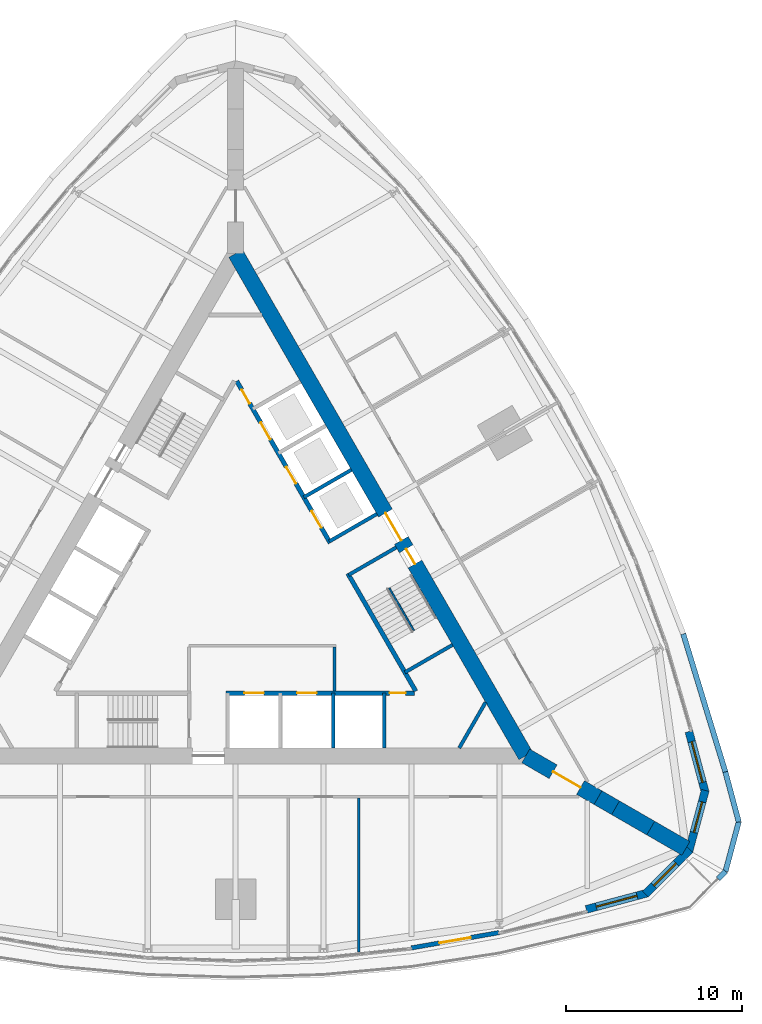
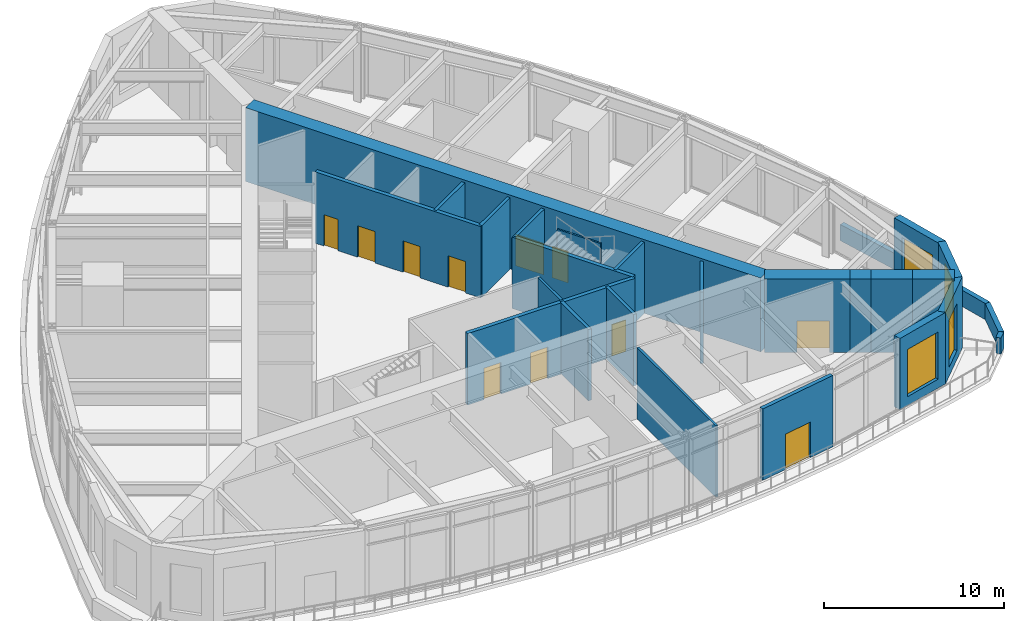
# One storey, part 10 of 14: 27 walls, 11 doors, 4 windows, 15 openings.
"""IFC4 building model written with IfcOpenShell, lengths in metres."""

import ifcopenshell
import ifcopenshell.guid

model = None  # the IFC model being written
_history = None  # IfcOwnerHistory: only IFC2X3 demands one
_inside = {}  # id of a spatial element -> (the spatial element, [elements in it])
_under = {}  # id of a project, library or spatial element -> (it, [spatial elements below it])
_declared = {}  # id of a project -> (the project, [libraries it declares])
_typed = {}  # id of a type object -> (the type object, [elements of that type])
_made_of = {}  # id of a material, layer set ... -> (it, [elements and type objects made of it])


def new_model(schema):
    """Start an empty IFC model of exactly this schema.

    Asked for "IFC4X3", IfcOpenShell would pick the latest addendum, in which some entities
    have other attributes; the version numbers below select the first issue.
    IFC2X3 requires an IfcOwnerHistory on every rooted entity: one is made here for all.
    """
    global model, _history
    if schema == "IFC4X3":
        model = ifcopenshell.file(schema_version=(4, 3, 0, 0))
    else:
        model = ifcopenshell.file(schema=schema)
    _inside.clear()
    _under.clear()
    _declared.clear()
    _typed.clear()
    _made_of.clear()
    _history = None
    if model.schema == "IFC2X3":
        org = make("IfcOrganization", Name="unknown")
        user = make(
            "IfcPersonAndOrganization",
            ThePerson=make("IfcPerson", FamilyName="unknown"),
            TheOrganization=org,
        )
        app = make(
            "IfcApplication",
            ApplicationDeveloper=org,
            Version="unknown",
            ApplicationFullName="unknown",
            ApplicationIdentifier="unknown",
        )
        _history = make(
            "IfcOwnerHistory",
            OwningUser=user,
            OwningApplication=app,
            ChangeAction="ADDED",
            CreationDate=0,
        )
    return model


def make(cls, **values):
    """One entity of the class cls with the attributes given. An attribute that is None is left unset."""
    return model.create_entity(
        cls, **{name: value for name, value in values.items() if value is not None}
    )


def rooted(cls, **values):
    """An entity with a GlobalId (a new one), such as an element, a storey or a relation."""
    return make(cls, GlobalId=ifcopenshell.guid.new(), OwnerHistory=_history, **values)


def si_unit(unit_type, name, prefix=None):
    """IfcSIUnit, for example si_unit("LENGTHUNIT", "METRE", prefix="MILLI")."""
    return make("IfcSIUnit", UnitType=unit_type, Prefix=prefix, Name=name)


def assignment(units):
    """IfcUnitAssignment: the units of a project."""
    return None if units is None else make("IfcUnitAssignment", Units=units)


def point(xyz):
    """IfcCartesianPoint."""
    return None if xyz is None else make("IfcCartesianPoint", Coordinates=xyz)


def direction(xyz):
    """IfcDirection."""
    return None if xyz is None else make("IfcDirection", DirectionRatios=xyz)


def frame(location, z_axis=None, x_axis=None):
    """IfcAxis2Placement3D, a coordinate frame: its origin and axes. An axis left out is left unset."""
    return make(
        "IfcAxis2Placement3D",
        Location=point(location),
        Axis=direction(z_axis),
        RefDirection=direction(x_axis),
    )


def frame_2d(location, x_axis=None):
    """IfcAxis2Placement2D, a coordinate frame in the plane: its origin and x axis."""
    return make(
        "IfcAxis2Placement2D", Location=point(location), RefDirection=direction(x_axis)
    )


def origin():
    """The frame at (0, 0, 0) with its axes left unset."""
    return frame((0.0, 0.0, 0.0))


def place(relative_to, where):
    """IfcLocalPlacement: puts the frame where relative to a parent placement (None: the world)."""
    return make(
        "IfcLocalPlacement", PlacementRelTo=relative_to, RelativePlacement=where
    )


def context(
    kind, dimensions, precision=None, world=None, true_north=None, identifier=None
):
    """IfcGeometricRepresentationContext, for example the 3D "Model" context."""
    return make(
        "IfcGeometricRepresentationContext",
        ContextIdentifier=identifier,
        ContextType=kind,
        CoordinateSpaceDimension=dimensions,
        Precision=precision,
        WorldCoordinateSystem=world,
        TrueNorth=true_north,
    )


def subcontext(parent, identifier, kind, view, scale=None):
    """IfcGeometricRepresentationSubContext, for example "Body" below "Model"."""
    return make(
        "IfcGeometricRepresentationSubContext",
        ContextIdentifier=identifier,
        ContextType=kind,
        ParentContext=parent,
        TargetScale=scale,
        TargetView=view,
    )


def project(units=None, contexts=None):
    """IfcProject with its units and contexts."""
    return rooted(
        "IfcProject",
        Name="project",
        RepresentationContexts=contexts,
        UnitsInContext=assignment(units),
    )


def spatial(cls, under=None, at=None, **own):
    """A site, building, storey or space (cls), placed at a placement, below another one or the project."""
    s = rooted(cls, ObjectPlacement=at, **own)
    if under is not None:
        _under.setdefault(under.id(), (under, []))[1].append(s)
    return s


def polyline(points):
    """IfcPolyline through the points."""
    return make("IfcPolyline", Points=[point(p) for p in points])


def profile(cls, at=None, kind="AREA", **sizes):
    """A parametric profile (cls). Its sizes go by their IFC names, for example OverallWidth=200.0."""
    return make(cls, ProfileType=kind, Position=at, **sizes)


def rectangle(**sizes):
    """IfcRectangleProfileDef."""
    return profile("IfcRectangleProfileDef", **sizes)


def outline(outer, holes=None, kind="AREA"):
    """IfcArbitraryClosedProfileDef: a profile drawn as a closed curve; with holes, ...WithVoids."""
    if holes is None:
        return make("IfcArbitraryClosedProfileDef", ProfileType=kind, OuterCurve=outer)
    return make(
        "IfcArbitraryProfileDefWithVoids",
        ProfileType=kind,
        OuterCurve=outer,
        InnerCurves=holes,
    )


def extrude(swept, where, along, depth):
    """IfcExtrudedAreaSolid: the profile swept, set in the frame where, extruded along a direction by depth."""
    return make(
        "IfcExtrudedAreaSolid",
        SweptArea=swept,
        Position=where,
        ExtrudedDirection=direction(along),
        Depth=depth,
    )


def shape(context_of_items, identifier, shape_type, items):
    """IfcShapeRepresentation: the items that make up one representation, for example the "Body"."""
    return make(
        "IfcShapeRepresentation",
        ContextOfItems=context_of_items,
        RepresentationIdentifier=identifier,
        RepresentationType=shape_type,
        Items=items,
    )


def material(Name=None, Category=None):
    """IfcMaterial."""
    return make("IfcMaterial", Name=Name, Category=Category)


def layer(
    of_material, thickness, ventilated=None, Name=None, Category=None, Priority=None
):
    """IfcMaterialLayer: one layer of a wall or slab, of a material (None: an air gap)."""
    return make(
        "IfcMaterialLayer",
        Material=of_material,
        LayerThickness=thickness,
        IsVentilated=ventilated,
        Name=Name,
        Category=Category,
        Priority=Priority,
    )


def layer_set(layers, Name=None):
    """IfcMaterialLayerSet."""
    return make("IfcMaterialLayerSet", MaterialLayers=layers, LayerSetName=Name)


def made_of(thing, what):
    """Note that an element or type object is made of a material, layer set ...; save() writes the relation."""
    if what is not None:
        _made_of.setdefault(what.id(), (what, []))[1].append(thing)
    return thing


def type_object(cls, material=None, **own):
    """A type object (cls), such as IfcWallType, which elements share."""
    return made_of(rooted(cls, **own), material)


def element(
    cls,
    number,
    at=None,
    inside=None,
    cuts=None,
    type_object=None,
    material=None,
    context=None,
    identifier="Body",
    shape_type=None,
    held_by="IfcProductDefinitionShape",
    body=None,
    shapes=None,
    **own,
):
    """One element of the class cls, such as IfcWall. Its Tag is "e" and its number.

    at: its placement. inside: the storey or other place that contains it. cuts: it is an
    opening in that element (IfcRelVoidsElement). A single representation is given by context,
    identifier, shape_type and body (its items); several are given by shapes. held_by: the class
    of the entity that holds the representations. save() writes the other relations.
    """
    e = rooted(cls, Tag="e%d" % number, ObjectPlacement=at, **own)
    if body is not None:
        shapes = [shape(context, identifier, shape_type, body)]
    if shapes is not None:
        e.Representation = make(held_by, Representations=shapes)
    if inside is not None:
        _inside.setdefault(inside.id(), (inside, []))[1].append(e)
    if cuts is not None:
        rooted(
            "IfcRelVoidsElement", RelatingBuildingElement=cuts, RelatedOpeningElement=e
        )
    if type_object is not None:
        _typed.setdefault(type_object.id(), (type_object, []))[1].append(e)
    return made_of(e, material)


def fill(opening, filler):
    """IfcRelFillsElement: the door or window that sits in an opening."""
    return rooted(
        "IfcRelFillsElement",
        RelatingOpeningElement=opening,
        RelatedBuildingElement=filler,
    )


def aggregate(whole, parts):
    """IfcRelAggregates: a whole, such as a stair, and the parts it consists of."""
    return rooted("IfcRelAggregates", RelatingObject=whole, RelatedObjects=parts)


def save(model, path):
    """Write the relations noted so far, then the file.

    IfcRelAggregates (storeys below a building ...), IfcRelContainedInSpatialStructure (elements
    in a storey), IfcRelDefinesByType, IfcRelAssociatesMaterial and IfcRelDeclares: one each for
    every whole, place, type object, material and project.
    """
    for whole, parts in _under.values():
        aggregate(whole, parts)
    for where, things in _inside.values():
        rooted(
            "IfcRelContainedInSpatialStructure",
            RelatedElements=things,
            RelatingStructure=where,
        )
    for kind, things in _typed.values():
        rooted("IfcRelDefinesByType", RelatedObjects=things, RelatingType=kind)
    for what, things in _made_of.values():
        rooted("IfcRelAssociatesMaterial", RelatedObjects=things, RelatingMaterial=what)
    for by, libraries in _declared.values():
        rooted("IfcRelDeclares", RelatingContext=by, RelatedDefinitions=libraries)
    model.write(path)


model = new_model("IFC4")

# Units and contexts
model_context = context("Model", 3, precision=1e-05, world=origin(), true_north=direction((0.0, 1.0)))
body_context = subcontext(model_context, "Body", "Model", "MODEL_VIEW")
ifc_project = project(units=[si_unit("LENGTHUNIT", "METRE"), si_unit("AREAUNIT", "SQUARE_METRE"), si_unit("VOLUMEUNIT", "CUBIC_METRE"), si_unit("PLANEANGLEUNIT", "RADIAN"), si_unit("MASSUNIT", "GRAM", prefix="KILO")], contexts=[model_context])

# Site, building, storey
site_placement = place(None, origin())
site = spatial("IfcSite", under=ifc_project, at=site_placement, CompositionType="ELEMENT")
building_placement = place(site_placement, origin())
building = spatial("IfcBuilding", under=site, at=building_placement, Name="Trikona Tower", CompositionType="ELEMENT")
storey_placement = place(building_placement, frame((0.0, 0.0, 109.699951171875)))
storey = spatial("IfcBuildingStorey", under=building, at=storey_placement, Name="L28", CompositionType="ELEMENT", Elevation=109.699951171875)

# Wall, opening, window
ifc_material_1 = material(Name="Brick-faced precast concrete", Category="masonry")
ifc_layer_1 = layer(ifc_material_1, 0.449951171875)
ifc_layer_set_1 = layer_set([ifc_layer_1], Name="Brick-faced corner wall 450")
wall_type_1 = type_object("IfcWallType", Name="Brick-faced corner wall 450", PredefinedType="SOLIDWALL", material=ifc_layer_set_1)
wall_1_placement = place(storey_placement, frame((19.94189453125, -18.2578125, 0.0), z_axis=(0.0, 0.0, 1.0), x_axis=(0.965924653531, 0.258823421857, 0.0)))
wall_1 = element("IfcWall", 1, at=wall_1_placement, inside=storey, type_object=wall_type_1, Name="External wall L28-08", PredefinedType="SOLIDWALL", context=body_context, shape_type="SweptSolid", body=[
    extrude(rectangle(XDim=3.58642578125, YDim=0.449951171875, at=frame_2d((1.793212890625, 0.0))), origin(), (0.0, 0.0, 1.0), 4.8349609375),
])
opening_1_placement = place(wall_1_placement, frame((0.593017578125, 0.0, 0.60009765625)))
opening_1 = element("IfcOpeningElement", 2, at=opening_1_placement, cuts=wall_1, Name="Opening W2432", PredefinedType="OPENING", context=body_context, shape_type="SweptSolid", body=[
    extrude(rectangle(XDim=2.39990234375, YDim=3.199951171875, at=frame_2d((1.199951171875, 1.60009765625))), frame((0.0, 0.23486328125, 0.0), z_axis=(0.0, -1.0, 0.0), x_axis=(1.0, 0.0, 0.0)), (0.0, 0.0, 1.0), 0.469970703125),
])
ifc_material_2 = material(Name="Aluminium-framed double glazing", Category="aluminium")
window_type_1 = type_object("IfcWindowType", Name="Window 2400x3200", PartitioningType="SINGLE_PANEL", PredefinedType="WINDOW", material=ifc_material_2)
window_1_placement = place(opening_1_placement, origin())
window_1 = element("IfcWindow", 3, at=window_1_placement, inside=storey, type_object=window_type_1, Name="Window L28-SKR", OverallHeight=3.199951171875, OverallWidth=2.39990234375, PartitioningType="SINGLE_PANEL", PredefinedType="WINDOW", context=body_context, shape_type="SweptSolid", body=[
    extrude(rectangle(XDim=2.39990234375, YDim=3.199951171875, at=frame_2d((1.199951171875, 1.60009765625))), frame((0.0, 0.030029296875, 0.0), z_axis=(0.0, -1.0, 0.0), x_axis=(1.0, 0.0, 0.0)), (0.0, 0.0, 1.0), 0.06005859375),
])
fill(opening_1, window_1)

wall_2_placement = place(storey_placement, frame((23.304931640625, -17.387939453125, 0.0), z_axis=(0.0, 0.0, 1.0), x_axis=(0.707106781187, 0.707106781187, 0.0)))
wall_2 = element("IfcWall", 4, at=wall_2_placement, inside=storey, type_object=wall_type_1, Name="External wall L28-09", PredefinedType="SOLIDWALL", context=body_context, shape_type="SweptSolid", body=[
    extrude(outline(polyline([(3.586181640625, 0.22509765625), (3.527099609375, 0.22509765625), (3.03515625, 0.09326171875), (3.0, 0.22509765625), (0.0, 0.22509765625), (0.0, -0.22509765625), (3.586181640625, -0.22509765625), (3.586181640625, 0.22509765625)])), origin(), (0.0, 0.0, 1.0), 4.8349609375),
])
opening_2_placement = place(wall_2_placement, frame((0.6748046875, 0.0, 0.60009765625)))
opening_2 = element("IfcOpeningElement", 5, at=opening_2_placement, cuts=wall_2, Name="Opening W1832", PredefinedType="OPENING", context=body_context, shape_type="SweptSolid", body=[
    extrude(rectangle(XDim=1.800048828125, YDim=3.199951171875, at=frame_2d((0.89990234375, 1.60009765625))), frame((0.0, 0.23486328125, 0.0), z_axis=(0.0, -1.0, 0.0), x_axis=(1.0, 0.0, 0.0)), (0.0, 0.0, 1.0), 0.469970703125),
])
ifc_material_3 = material(Name="Aluminium-framed double glazing", Category="aluminium")
window_type_2 = type_object("IfcWindowType", Name="Window 1800x3200", PartitioningType="SINGLE_PANEL", PredefinedType="WINDOW", material=ifc_material_3)
window_2_placement = place(opening_2_placement, origin())
window_2 = element("IfcWindow", 6, at=window_2_placement, inside=storey, type_object=window_type_2, Name="Window L28-SKR", OverallHeight=3.199951171875, OverallWidth=1.800048828125, PartitioningType="SINGLE_PANEL", PredefinedType="WINDOW", context=body_context, shape_type="SweptSolid", body=[
    extrude(rectangle(XDim=1.800048828125, YDim=3.199951171875, at=frame_2d((0.89990234375, 1.60009765625))), frame((0.0, 0.030029296875, 0.0), z_axis=(0.0, -1.0, 0.0), x_axis=(1.0, 0.0, 0.0)), (0.0, 0.0, 1.0), 0.06005859375),
])
fill(opening_2, window_2)

wall_3_placement = place(storey_placement, frame((25.78271484375, -14.952880859375, 0.0), z_axis=(0.0, 0.0, 1.0), x_axis=(0.258823421857, 0.965924653531, 0.0)))
wall_3 = element("IfcWall", 7, at=wall_3_placement, inside=storey, type_object=wall_type_1, Name="External wall L28-10", PredefinedType="SOLIDWALL", context=body_context, shape_type="SweptSolid", body=[
    extrude(outline(polyline([(3.58642578125, 0.22509765625), (0.58642578125, 0.22509765625), (0.551025390625, 0.09326171875), (0.0595703125, 0.22509765625), (0.0, 0.22509765625), (0.0, -0.22509765625), (3.58642578125, -0.22509765625), (3.58642578125, 0.22509765625)])), origin(), (0.0, 0.0, 1.0), 4.8349609375),
])
opening_3_placement = place(wall_3_placement, frame((1.111328125, 0.0, 0.60009765625)))
opening_3 = element("IfcOpeningElement", 8, at=opening_3_placement, cuts=wall_3, Name="Opening W1832", PredefinedType="OPENING", context=body_context, shape_type="SweptSolid", body=[
    extrude(rectangle(XDim=1.800048828125, YDim=3.199951171875, at=frame_2d((0.89990234375, 1.60009765625))), frame((0.0, 0.23486328125, 0.0), z_axis=(0.0, -1.0, 0.0), x_axis=(1.0, 0.0, 0.0)), (0.0, 0.0, 1.0), 0.469970703125),
])
window_3_placement = place(opening_3_placement, origin())
window_3 = element("IfcWindow", 9, at=window_3_placement, inside=storey, type_object=window_type_2, Name="Window L28-LIB", OverallHeight=3.199951171875, OverallWidth=1.800048828125, PartitioningType="SINGLE_PANEL", PredefinedType="WINDOW", context=body_context, shape_type="SweptSolid", body=[
    extrude(rectangle(XDim=1.800048828125, YDim=3.199951171875, at=frame_2d((0.89990234375, 1.60009765625))), frame((0.0, 0.030029296875, 0.0), z_axis=(0.0, -1.0, 0.0), x_axis=(1.0, 0.0, 0.0)), (0.0, 0.0, 1.0), 0.06005859375),
])
fill(opening_3, window_3)

wall_4_placement = place(storey_placement, frame((26.7109375, -11.605224609375, 0.0), z_axis=(0.0, 0.0, 1.0), x_axis=(-0.258823421857, 0.965924653531, 0.0)))
wall_4 = element("IfcWall", 10, at=wall_4_placement, inside=storey, type_object=wall_type_1, Name="External wall L28-11", PredefinedType="SOLIDWALL", context=body_context, shape_type="SweptSolid", body=[
    extrude(rectangle(XDim=3.58642578125, YDim=0.449951171875, at=frame_2d((1.793212890625, 0.0))), origin(), (0.0, 0.0, 1.0), 4.8349609375),
])
opening_4_placement = place(wall_4_placement, frame((0.593017578125, 0.0, 0.60009765625)))
opening_4 = element("IfcOpeningElement", 11, at=opening_4_placement, cuts=wall_4, Name="Opening W2432", PredefinedType="OPENING", context=body_context, shape_type="SweptSolid", body=[
    extrude(rectangle(XDim=2.39990234375, YDim=3.199951171875, at=frame_2d((1.199951171875, 1.60009765625))), frame((0.0, 0.23486328125, 0.0), z_axis=(0.0, -1.0, 0.0), x_axis=(1.0, 0.0, 0.0)), (0.0, 0.0, 1.0), 0.469970703125),
])
window_4_placement = place(opening_4_placement, origin())
window_4 = element("IfcWindow", 12, at=window_4_placement, inside=storey, type_object=window_type_1, Name="Window L28-LIB", OverallHeight=3.199951171875, OverallWidth=2.39990234375, PartitioningType="SINGLE_PANEL", PredefinedType="WINDOW", context=body_context, shape_type="SweptSolid", body=[
    extrude(rectangle(XDim=2.39990234375, YDim=3.199951171875, at=frame_2d((1.199951171875, 1.60009765625))), frame((0.0, 0.030029296875, 0.0), z_axis=(0.0, -1.0, 0.0), x_axis=(1.0, 0.0, 0.0)), (0.0, 0.0, 1.0), 0.06005859375),
])
fill(opening_4, window_4)

# Wall, opening, door
ifc_material_4 = material(Name="Concrete f'c 10000 psi", Category="concrete")
ifc_layer_2 = layer(ifc_material_4, 0.89990234375)
ifc_layer_set_2 = layer_set([ifc_layer_2], Name="Buttress wall 900")
wall_type_2 = type_object("IfcWallType", Name="Buttress wall 900", PredefinedType="SHEAR", material=ifc_layer_set_2)
wall_5_placement = place(storey_placement, frame((16.5, -9.5263671875, 0.0), z_axis=(0.0, 0.0, 1.0), x_axis=(0.866031398331, -0.499989616998, 0.0)))
wall_5 = element("IfcWall", 13, at=wall_5_placement, inside=storey, type_object=wall_type_2, Name="Buttress wall 1", PredefinedType="SHEAR", context=body_context, shape_type="SweptSolid", body=[
    extrude(rectangle(XDim=4.74609375, YDim=0.89990234375, at=frame_2d((2.373046875, 0.0))), origin(), (0.0, 0.0, 1.0), 5.0),
])
opening_5_placement = place(wall_5_placement, frame((1.800048828125, 0.0, 0.0)))
opening_5 = element("IfcOpeningElement", 14, at=opening_5_placement, cuts=wall_5, Name="Opening D10", PredefinedType="OPENING", context=body_context, shape_type="SweptSolid", body=[
    extrude(rectangle(XDim=1.800048828125, YDim=2.1298828125, at=frame_2d((0.89990234375, 1.06494140625))), frame((0.0, 0.4599609375, 0.0), z_axis=(0.0, -1.0, 0.0), x_axis=(1.0, 0.0, 0.0)), (0.0, 0.0, 1.0), 0.919921875),
])
ifc_material_5 = material(Name="Hollow metal door and frame", Category="steel")
door_type_1 = type_object("IfcDoorType", Name="Cross-corridor door pair 1800x2130", OperationType="DOUBLE_DOOR_DOUBLE_SWING", PredefinedType="DOOR", material=ifc_material_5)
door_1_placement = place(opening_5_placement, origin())
door_1 = element("IfcDoor", 15, at=door_1_placement, inside=storey, type_object=door_type_1, Name="Cross-corridor door 1", OperationType="DOUBLE_DOOR_DOUBLE_SWING", OverallHeight=2.1298828125, OverallWidth=1.800048828125, PredefinedType="DOOR", context=body_context, shape_type="SweptSolid", body=[
    extrude(rectangle(XDim=1.800048828125, YDim=2.1298828125, at=frame_2d((0.89990234375, 1.06494140625))), frame((0.0, 0.02490234375, 0.0), z_axis=(0.0, -1.0, 0.0), x_axis=(1.0, 0.0, 0.0)), (0.0, 0.0, 1.0), 0.050048828125),
])
fill(opening_5, door_1)

# Walls
wall_6_placement = place(storey_placement, frame((20.6103515625, -11.8994140625, 0.0), z_axis=(0.0, 0.0, 1.0), x_axis=(0.866009537788, -0.500027479704, 0.0)))
element("IfcWall", 16, at=wall_6_placement, inside=storey, type_object=wall_type_2, Name="Buttress wall 1 part 2", PredefinedType="SHEAR", context=body_context, shape_type="SweptSolid", body=[
    extrude(rectangle(XDim=1.15478515625, YDim=0.89990234375, at=frame_2d((0.577392578125, 0.0))), origin(), (0.0, 0.0, 1.0), 5.0),
])
for number, where, z_axis, x_axis, name in (
    (17, (21.6103515625, -12.476806640625, 0.0), (0.0, 0.0, 1.0), (0.866055313784, -0.499948190782, 0.0), "Buttress wall 1 part 3"),
    (18, (23.6103515625, -13.63134765625, 0.0), (0.0, 0.0, 1.0), (0.866009537788, -0.500027479704, 0.0), "Buttress wall 1 part 4"),
):
    element("IfcWall", number, at=place(storey_placement, frame(where, z_axis=z_axis, x_axis=x_axis)), inside=storey, type_object=wall_type_2, Name=name, PredefinedType="SHEAR", context=body_context, shape_type="SweptSolid", body=[
        extrude(rectangle(XDim=2.309326171875, YDim=0.89990234375, at=frame_2d((1.15478515625, 0.0))), origin(), (0.0, 0.0, 1.0), 5.0),
    ])

# Wall, openings, doors
ifc_material_6 = material(Name="Concrete f'c 10000 psi", Category="concrete")
ifc_layer_3 = layer(ifc_material_6, 0.89990234375)
ifc_layer_set_3 = layer_set([ifc_layer_3], Name="Core wall 900")
wall_type_3 = type_object("IfcWallType", Name="Core wall 900", PredefinedType="SHEAR", material=ifc_layer_set_3)
wall_7_placement = place(storey_placement, frame((16.5, -9.5263671875, 0.0), z_axis=(0.0, 0.0, 1.0), x_axis=(-0.499999749417, 0.866025548458, 0.0)))
wall_7 = element("IfcWall", 19, at=wall_7_placement, inside=storey, type_object=wall_type_3, Name="Core wall B", PredefinedType="SHEAR", context=body_context, shape_type="SweptSolid", body=[
    extrude(rectangle(XDim=33.0, YDim=0.89990234375, at=frame_2d((16.5, 0.0))), origin(), (0.0, 0.0, 1.0), 5.0),
])
opening_6_placement = place(wall_7_placement, frame((14.14990234375, 0.0, 0.0)))
opening_6 = element("IfcOpeningElement", 20, at=opening_6_placement, cuts=wall_7, Name="Opening D6", PredefinedType="OPENING", context=body_context, shape_type="SweptSolid", body=[
    extrude(rectangle(XDim=1.800048828125, YDim=2.1298828125, at=frame_2d((0.89990234375, 1.06494140625))), frame((0.0, 0.4599609375, 0.0), z_axis=(0.0, -1.0, 0.0), x_axis=(1.0, 0.0, 0.0)), (0.0, 0.0, 1.0), 0.919921875),
])
opening_7_placement = place(wall_7_placement, frame((12.60009765625, 0.0, 0.0)))
opening_7 = element("IfcOpeningElement", 21, at=opening_7_placement, cuts=wall_7, Name="Opening D5", PredefinedType="OPENING", context=body_context, shape_type="SweptSolid", body=[
    extrude(rectangle(XDim=1.0, YDim=2.1298828125, at=frame_2d((0.5, 1.06494140625))), frame((0.0, 0.4599609375, 0.0), z_axis=(0.0, -1.0, 0.0), x_axis=(1.0, 0.0, 0.0)), (0.0, 0.0, 1.0), 0.919921875),
])
ifc_material_7 = material(Name="Hollow metal door and frame", Category="steel")
door_type_2 = type_object("IfcDoorType", Name="Lobby door pair 1800x2130", OperationType="DOUBLE_DOOR_SINGLE_SWING", PredefinedType="DOOR", material=ifc_material_7)
door_2_placement = place(opening_6_placement, origin())
door_2 = element("IfcDoor", 22, at=door_2_placement, inside=storey, type_object=door_type_2, Name="Lift lobby door B", OperationType="DOUBLE_DOOR_SINGLE_SWING", OverallHeight=2.1298828125, OverallWidth=1.800048828125, PredefinedType="DOOR", context=body_context, shape_type="SweptSolid", body=[
    extrude(rectangle(XDim=1.800048828125, YDim=2.1298828125, at=frame_2d((0.89990234375, 1.06494140625))), frame((0.0, 0.02490234375, 0.0), z_axis=(0.0, -1.0, 0.0), x_axis=(1.0, 0.0, 0.0)), (0.0, 0.0, 1.0), 0.050048828125),
])
fill(opening_6, door_2)
ifc_material_8 = material(Name="Hollow metal door and frame", Category="steel")
door_type_3 = type_object("IfcDoorType", Name="Stair door 1000x2130", OperationType="SINGLE_SWING_LEFT", PredefinedType="DOOR", material=ifc_material_8)
door_3_placement = place(opening_7_placement, origin())
door_3 = element("IfcDoor", 23, at=door_3_placement, inside=storey, type_object=door_type_3, Name="Stair B door", OperationType="SINGLE_SWING_RIGHT", OverallHeight=2.1298828125, OverallWidth=1.0, PredefinedType="DOOR", context=body_context, shape_type="SweptSolid", body=[
    extrude(rectangle(XDim=1.0, YDim=2.1298828125, at=frame_2d((0.5, 1.06494140625))), frame((0.0, 0.02490234375, 0.0), z_axis=(0.0, -1.0, 0.0), x_axis=(1.0, 0.0, 0.0)), (0.0, 0.0, 1.0), 0.050048828125),
])
fill(opening_7, door_3)

ifc_material_9 = material(Name="Concrete f'c 8000 psi", Category="concrete")
ifc_layer_4 = layer(ifc_material_9, 0.25)
ifc_layer_set_4 = layer_set([ifc_layer_4], Name="Hub wall 250")
wall_type_4 = type_object("IfcWallType", Name="Hub wall 250", PredefinedType="SOLIDWALL", material=ifc_layer_set_4)
wall_8_placement = place(storey_placement, frame((-0.550048828125, -5.951416015625, 0.0), z_axis=(0.0, 0.0, 1.0), x_axis=(1.0, 0.0, 0.0)))
wall_8 = element("IfcWall", 24, at=wall_8_placement, inside=storey, type_object=wall_type_4, Name="Lift lobby wall A2", PredefinedType="SOLIDWALL", context=body_context, shape_type="SweptSolid", body=[
    extrude(rectangle(XDim=10.73291015625, YDim=0.25, at=frame_2d((5.366455078125, 0.0))), origin(), (0.0, 0.0, 1.0), 4.8349609375),
])
opening_8_placement = place(wall_8_placement, frame((9.31396484375, 0.0, 0.0)))
opening_8 = element("IfcOpeningElement", 25, at=opening_8_placement, cuts=wall_8, Name="Opening D14", PredefinedType="OPENING", context=body_context, shape_type="SweptSolid", body=[
    extrude(rectangle(XDim=0.89990234375, YDim=2.1298828125, at=frame_2d((0.449951171875, 1.06494140625))), frame((0.0, 0.135009765625, 0.0), z_axis=(0.0, -1.0, 0.0), x_axis=(1.0, 0.0, 0.0)), (0.0, 0.0, 1.0), 0.27001953125),
])
opening_9_placement = place(wall_8_placement, frame((1.050048828125, 0.0, 0.0)))
opening_9 = element("IfcOpeningElement", 26, at=opening_9_placement, cuts=wall_8, Name="Opening LD", PredefinedType="OPENING", context=body_context, shape_type="SweptSolid", body=[
    extrude(rectangle(XDim=1.10009765625, YDim=2.1298828125, at=frame_2d((0.550048828125, 1.06494140625))), frame((0.0, 0.135009765625, 0.0), z_axis=(0.0, -1.0, 0.0), x_axis=(1.0, 0.0, 0.0)), (0.0, 0.0, 1.0), 0.27001953125),
])
opening_10_placement = place(wall_8_placement, frame((4.050048828125, 0.0, 0.0)))
opening_10 = element("IfcOpeningElement", 27, at=opening_10_placement, cuts=wall_8, Name="Opening LD", PredefinedType="OPENING", context=body_context, shape_type="SweptSolid", body=[
    extrude(rectangle(XDim=1.10009765625, YDim=2.1298828125, at=frame_2d((0.550048828125, 1.06494140625))), frame((0.0, 0.135009765625, 0.0), z_axis=(0.0, -1.0, 0.0), x_axis=(1.0, 0.0, 0.0)), (0.0, 0.0, 1.0), 0.27001953125),
])
ifc_material_10 = material(Name="Stainless steel lift landing door", Category="steel")
door_type_4 = type_object("IfcDoorType", Name="Lift landing door 1100x2130", OperationType="DOUBLE_DOOR_SLIDING", PredefinedType="USERDEFINED", material=ifc_material_10)
door_4_placement = place(opening_9_placement, origin())
door_4 = element("IfcDoor", 28, at=door_4_placement, inside=storey, type_object=door_type_4, Name="Lift landing door FF1", ObjectType="LIFT LANDING DOOR", OperationType="DOUBLE_DOOR_SLIDING", OverallHeight=2.1298828125, OverallWidth=1.10009765625, PredefinedType="USERDEFINED", context=body_context, shape_type="SweptSolid", body=[
    extrude(rectangle(XDim=1.10009765625, YDim=2.1298828125, at=frame_2d((0.550048828125, 1.06494140625))), frame((0.0, 0.02490234375, 0.0), z_axis=(0.0, -1.0, 0.0), x_axis=(1.0, 0.0, 0.0)), (0.0, 0.0, 1.0), 0.050048828125),
])
fill(opening_9, door_4)
door_5_placement = place(opening_10_placement, origin())
door_5 = element("IfcDoor", 29, at=door_5_placement, inside=storey, type_object=door_type_4, Name="Lift landing door FF2", ObjectType="LIFT LANDING DOOR", OperationType="DOUBLE_DOOR_SLIDING", OverallHeight=2.1298828125, OverallWidth=1.10009765625, PredefinedType="USERDEFINED", context=body_context, shape_type="SweptSolid", body=[
    extrude(rectangle(XDim=1.10009765625, YDim=2.1298828125, at=frame_2d((0.550048828125, 1.06494140625))), frame((0.0, 0.02490234375, 0.0), z_axis=(0.0, -1.0, 0.0), x_axis=(1.0, 0.0, 0.0)), (0.0, 0.0, 1.0), 0.050048828125),
])
fill(opening_10, door_5)
ifc_material_11 = material(Name="Hollow metal door and frame", Category="steel")
door_type_5 = type_object("IfcDoorType", Name="Service room door 900x2130", OperationType="SINGLE_SWING_LEFT", PredefinedType="DOOR", material=ifc_material_11)
door_6_placement = place(opening_8_placement, origin())
door_6 = element("IfcDoor", 30, at=door_6_placement, inside=storey, type_object=door_type_5, Name="Door Electrical room ELR", OperationType="SINGLE_SWING_RIGHT", OverallHeight=2.1298828125, OverallWidth=0.89990234375, PredefinedType="DOOR", context=body_context, shape_type="SweptSolid", body=[
    extrude(rectangle(XDim=0.89990234375, YDim=2.1298828125, at=frame_2d((0.449951171875, 1.06494140625))), frame((0.0, 0.02490234375, 0.0), z_axis=(0.0, -1.0, 0.0), x_axis=(1.0, 0.0, 0.0)), (0.0, 0.0, 1.0), 0.050048828125),
])
fill(opening_8, door_6)

# Wall
wall_9_placement = place(storey_placement, frame((10.245361328125, -5.843017578125, 0.0), z_axis=(0.0, 0.0, 1.0), x_axis=(-0.499993009313, 0.866029439822, 0.0)))
element("IfcWall", 31, at=wall_9_placement, inside=storey, type_object=wall_type_4, Name="Lift lobby wall B1", PredefinedType="SOLIDWALL", context=body_context, shape_type="SweptSolid", body=[
    extrude(rectangle(XDim=7.73291015625, YDim=0.25, at=frame_2d((3.866455078125, 0.0))), origin(), (0.0, 0.0, 1.0), 4.8349609375),
])

# Wall, openings, doors
wall_10_placement = place(storey_placement, frame((5.37890625, 2.5859375, 0.0), z_axis=(0.0, 0.0, 1.0), x_axis=(-0.500001375892, 0.866024609411, 0.0)))
wall_10 = element("IfcWall", 32, at=wall_10_placement, inside=storey, type_object=wall_type_4, Name="Lift lobby wall B2", PredefinedType="SOLIDWALL", context=body_context, shape_type="SweptSolid", body=[
    extrude(rectangle(XDim=10.6328125, YDim=0.25, at=frame_2d((5.31640625, 0.0))), origin(), (0.0, 0.0, 1.0), 4.8349609375),
])
opening_11_placement = place(wall_10_placement, frame((9.1640625, 0.0, 0.0)))
opening_11 = element("IfcOpeningElement", 33, at=opening_11_placement, cuts=wall_10, Name="Opening D14", PredefinedType="OPENING", context=body_context, shape_type="SweptSolid", body=[
    extrude(rectangle(XDim=0.89990234375, YDim=2.1298828125, at=frame_2d((0.449951171875, 1.06494140625))), frame((0.0, 0.135009765625, 0.0), z_axis=(0.0, -1.0, 0.0), x_axis=(1.0, 0.0, 0.0)), (0.0, 0.0, 1.0), 0.27001953125),
])
opening_12_placement = place(wall_10_placement, frame((1.0, 0.0, 0.0)))
opening_12 = element("IfcOpeningElement", 34, at=opening_12_placement, cuts=wall_10, Name="Opening LD", PredefinedType="OPENING", context=body_context, shape_type="SweptSolid", body=[
    extrude(rectangle(XDim=1.10009765625, YDim=2.1298828125, at=frame_2d((0.550048828125, 1.06494140625))), frame((0.0, 0.135009765625, 0.0), z_axis=(0.0, -1.0, 0.0), x_axis=(1.0, 0.0, 0.0)), (0.0, 0.0, 1.0), 0.27001953125),
])
opening_13_placement = place(wall_10_placement, frame((3.89990234375, 0.0, 0.0)))
opening_13 = element("IfcOpeningElement", 35, at=opening_13_placement, cuts=wall_10, Name="Opening LD", PredefinedType="OPENING", context=body_context, shape_type="SweptSolid", body=[
    extrude(rectangle(XDim=1.10009765625, YDim=2.1298828125, at=frame_2d((0.550048828125, 1.06494140625))), frame((0.0, 0.135009765625, 0.0), z_axis=(0.0, -1.0, 0.0), x_axis=(1.0, 0.0, 0.0)), (0.0, 0.0, 1.0), 0.27001953125),
])
opening_14_placement = place(wall_10_placement, frame((6.800048828125, 0.0, 0.0)))
opening_14 = element("IfcOpeningElement", 36, at=opening_14_placement, cuts=wall_10, Name="Opening LD", PredefinedType="OPENING", context=body_context, shape_type="SweptSolid", body=[
    extrude(rectangle(XDim=1.10009765625, YDim=2.1298828125, at=frame_2d((0.550048828125, 1.06494140625))), frame((0.0, 0.135009765625, 0.0), z_axis=(0.0, -1.0, 0.0), x_axis=(1.0, 0.0, 0.0)), (0.0, 0.0, 1.0), 0.27001953125),
])
door_7_placement = place(opening_12_placement, origin())
door_7 = element("IfcDoor", 37, at=door_7_placement, inside=storey, type_object=door_type_4, Name="Lift landing door L2-1", ObjectType="LIFT LANDING DOOR", OperationType="DOUBLE_DOOR_SLIDING", OverallHeight=2.1298828125, OverallWidth=1.10009765625, PredefinedType="USERDEFINED", context=body_context, shape_type="SweptSolid", body=[
    extrude(rectangle(XDim=1.10009765625, YDim=2.1298828125, at=frame_2d((0.550048828125, 1.06494140625))), frame((0.0, 0.02490234375, 0.0), z_axis=(0.0, -1.0, 0.0), x_axis=(1.0, 0.0, 0.0)), (0.0, 0.0, 1.0), 0.050048828125),
])
fill(opening_12, door_7)
door_8_placement = place(opening_13_placement, origin())
door_8 = element("IfcDoor", 38, at=door_8_placement, inside=storey, type_object=door_type_4, Name="Lift landing door L2-2", ObjectType="LIFT LANDING DOOR", OperationType="DOUBLE_DOOR_SLIDING", OverallHeight=2.1298828125, OverallWidth=1.10009765625, PredefinedType="USERDEFINED", context=body_context, shape_type="SweptSolid", body=[
    extrude(rectangle(XDim=1.10009765625, YDim=2.1298828125, at=frame_2d((0.550048828125, 1.06494140625))), frame((0.0, 0.02490234375, 0.0), z_axis=(0.0, -1.0, 0.0), x_axis=(1.0, 0.0, 0.0)), (0.0, 0.0, 1.0), 0.050048828125),
])
fill(opening_13, door_8)
door_9_placement = place(opening_14_placement, origin())
door_9 = element("IfcDoor", 39, at=door_9_placement, inside=storey, type_object=door_type_4, Name="Lift landing door L2-3", ObjectType="LIFT LANDING DOOR", OperationType="DOUBLE_DOOR_SLIDING", OverallHeight=2.1298828125, OverallWidth=1.10009765625, PredefinedType="USERDEFINED", context=body_context, shape_type="SweptSolid", body=[
    extrude(rectangle(XDim=1.10009765625, YDim=2.1298828125, at=frame_2d((0.550048828125, 1.06494140625))), frame((0.0, 0.02490234375, 0.0), z_axis=(0.0, -1.0, 0.0), x_axis=(1.0, 0.0, 0.0)), (0.0, 0.0, 1.0), 0.050048828125),
])
fill(opening_14, door_9)
door_10_placement = place(opening_11_placement, origin())
door_10 = element("IfcDoor", 40, at=door_10_placement, inside=storey, type_object=door_type_5, Name="Door Store STR", OperationType="SINGLE_SWING_RIGHT", OverallHeight=2.1298828125, OverallWidth=0.89990234375, PredefinedType="DOOR", context=body_context, shape_type="SweptSolid", body=[
    extrude(rectangle(XDim=0.89990234375, YDim=2.1298828125, at=frame_2d((0.449951171875, 1.06494140625))), frame((0.0, 0.02490234375, 0.0), z_axis=(0.0, -1.0, 0.0), x_axis=(1.0, 0.0, 0.0)), (0.0, 0.0, 1.0), 0.050048828125),
])
fill(opening_11, door_10)

# Wall, opening, door
ifc_material_12 = material(Name="Insulated precast concrete spandrel panel", Category="concrete")
ifc_layer_5 = layer(ifc_material_12, 0.25)
ifc_layer_set_5 = layer_set([ifc_layer_5], Name="Inner skin wall 250")
wall_type_5 = type_object("IfcWallType", Name="Inner skin wall 250", PredefinedType="STANDARD", material=ifc_layer_set_5)
wall_11_placement = place(storey_placement, frame((9.978515625, -20.4521484375, 0.0), z_axis=(0.0, 0.0, 1.0), x_axis=(0.985030467156, 0.172380331752, 0.0)))
wall_11 = element("IfcWall", 41, at=wall_11_placement, inside=storey, type_object=wall_type_5, Name="External wall L28-06", PredefinedType="STANDARD", context=body_context, shape_type="SweptSolid", body=[
    extrude(rectangle(XDim=5.075927734375, YDim=0.25, at=frame_2d((2.5380859375, 0.0))), origin(), (0.0, 0.0, 1.0), 4.8349609375),
])
opening_15_placement = place(wall_11_placement, frame((1.637939453125, 0.0, 0.0)))
opening_15 = element("IfcOpeningElement", 42, at=opening_15_placement, cuts=wall_11, Name="Opening D8", PredefinedType="OPENING", context=body_context, shape_type="SweptSolid", body=[
    extrude(rectangle(XDim=1.800048828125, YDim=2.39990234375, at=frame_2d((0.89990234375, 1.199951171875))), frame((0.0, 0.135009765625, 0.0), z_axis=(0.0, -1.0, 0.0), x_axis=(1.0, 0.0, 0.0)), (0.0, 0.0, 1.0), 0.27001953125),
])
ifc_material_13 = material(Name="Aluminium-framed glazed door", Category="aluminium")
door_type_6 = type_object("IfcDoorType", Name="Terrace door pair 1800x2400", OperationType="DOUBLE_DOOR_SINGLE_SWING", PredefinedType="DOOR", material=ifc_material_13)
door_11_placement = place(opening_15_placement, origin())
door_11 = element("IfcDoor", 43, at=door_11_placement, inside=storey, type_object=door_type_6, Name="Terrace door Sky reception", OperationType="DOUBLE_DOOR_SINGLE_SWING", OverallHeight=2.39990234375, OverallWidth=1.800048828125, PredefinedType="DOOR", context=body_context, shape_type="SweptSolid", body=[
    extrude(rectangle(XDim=1.800048828125, YDim=2.39990234375, at=frame_2d((0.89990234375, 1.199951171875))), frame((0.0, 0.02490234375, 0.0), z_axis=(0.0, -1.0, 0.0), x_axis=(1.0, 0.0, 0.0)), (0.0, 0.0, 1.0), 0.050048828125),
])
fill(opening_15, door_11)

# Walls
ifc_material_14 = material(Name="Metal stud and gypsum board, 2-hour shaft wall", Category="gypsum")
ifc_layer_6 = layer(ifc_material_14, 0.14990234375)
ifc_layer_set_6 = layer_set([ifc_layer_6], Name="Lobby wall 150")
wall_type_6 = type_object("IfcWallType", Name="Lobby wall 150", PredefinedType="PARTITIONING", material=ifc_layer_set_6)
wall_12_placement = place(storey_placement, frame((5.625, -5.826416015625, 0.0), z_axis=(0.0, 0.0, 1.0), x_axis=(0.0, 1.0, 0.0)))
element("IfcWall", 44, at=wall_12_placement, inside=storey, type_object=wall_type_6, Name="Fire service lift lobby wall 3", PredefinedType="PARTITIONING", context=body_context, shape_type="SweptSolid", body=[
    extrude(rectangle(XDim=2.5, YDim=0.14990234375, at=frame_2d((1.25, 0.0))), origin(), (0.0, 0.0, 1.0), 4.8349609375),
])
ifc_material_15 = material(Name="Brick-faced precast concrete", Category="masonry")
ifc_layer_7 = layer(ifc_material_15, 0.300048828125)
ifc_layer_set_7 = layer_set([ifc_layer_7], Name="Parapet wall 300")
wall_type_7 = type_object("IfcWallType", Name="Parapet wall 300", PredefinedType="PARAPET", material=ifc_layer_set_7)
wall_13_placement = place(storey_placement, frame((25.460693359375, -2.588134765625, 0.0), z_axis=(0.0, 0.0, 1.0), x_axis=(0.291972778305, -0.956426629036, 0.0)))
element("IfcWall", 45, at=wall_13_placement, inside=storey, type_object=wall_type_7, Name="Green roof parapet L28-1-22", PredefinedType="PARAPET", context=body_context, shape_type="SweptSolid", body=[
    extrude(rectangle(XDim=8.202880859375, YDim=0.300048828125, at=frame_2d((4.1015625, 0.0))), origin(), (0.0, 0.0, 1.0), 1.10009765625),
])
wall_14_placement = place(storey_placement, frame((27.855712890625, -10.43359375, 0.0), z_axis=(0.0, 0.0, 1.0), x_axis=(0.258823078531, -0.965924745526, 0.0)))
element("IfcWall", 46, at=wall_14_placement, inside=storey, type_object=wall_type_7, Name="Green roof parapet L28-1-23", PredefinedType="PARAPET", context=body_context, shape_type="SweptSolid", body=[
    extrude(rectangle(XDim=2.94580078125, YDim=0.300048828125, at=frame_2d((1.472900390625, 0.0))), origin(), (0.0, 0.0, 1.0), 1.10009765625),
])
wall_15_placement = place(storey_placement, frame((28.6181640625, -13.279052734375, 0.0), z_axis=(0.0, 0.0, 1.0), x_axis=(-0.258817211633, -0.965926317564, 0.0)))
element("IfcWall", 47, at=wall_15_placement, inside=storey, type_object=wall_type_7, Name="Green roof parapet L28-1-24", PredefinedType="PARAPET", context=body_context, shape_type="SweptSolid", body=[
    extrude(rectangle(XDim=2.908203125, YDim=0.300048828125, at=frame_2d((1.4541015625, 0.0))), origin(), (0.0, 0.0, 1.0), 1.10009765625),
])
wall_16_placement = place(storey_placement, frame((27.865478515625, -16.088134765625, 0.0), z_axis=(0.0, 0.0, 1.0), x_axis=(-0.706903267951, -0.707310235866, 0.0)))
element("IfcWall", 48, at=wall_16_placement, inside=storey, type_object=wall_type_7, Name="Green roof parapet L28-1-25", PredefinedType="PARAPET", context=body_context, shape_type="SweptSolid", body=[
    extrude(rectangle(XDim=0.599853515625, YDim=0.300048828125, at=frame_2d((0.2998046875, 0.0))), origin(), (0.0, 0.0, 1.0), 1.10009765625),
])
ifc_material_16 = material(Name="Metal stud and gypsum board, 1-hour acoustic", Category="gypsum")
ifc_layer_8 = layer(ifc_material_16, 0.14990234375)
ifc_layer_set_8 = layer_set([ifc_layer_8], Name="Party wall 150")
wall_type_8 = type_object("IfcWallType", Name="Party wall 150", PredefinedType="PARTITIONING", material=ifc_layer_set_8)
wall_17_placement = place(storey_placement, frame((7.0, -11.92626953125, 0.0), z_axis=(0.0, 0.0, 1.0), x_axis=(0.0, -1.0, 0.0)))
element("IfcWall", 49, at=wall_17_placement, inside=storey, type_object=wall_type_8, Name="Partition L28 F1 u7", PredefinedType="PARTITIONING", context=body_context, shape_type="SweptSolid", body=[
    extrude(rectangle(XDim=8.76025390625, YDim=0.14990234375, at=frame_2d((4.380126953125, 0.0))), origin(), (0.0, 0.0, 1.0), 4.8349609375),
])
ifc_material_17 = material(Name="Concrete f'c 8000 psi", Category="concrete")
ifc_layer_9 = layer(ifc_material_17, 0.199951171875)
ifc_layer_set_9 = layer_set([ifc_layer_9], Name="Shaft wall 200")
wall_type_9 = type_object("IfcWallType", Name="Shaft wall 200", PredefinedType="SOLIDWALL", material=ifc_layer_set_9)
for number, where, z_axis, x_axis, name in (
    (50, (5.550048828125, -5.951416015625, 0.0), (0.0, 0.0, 1.0), (0.0, -1.0, 0.0), "Shaft wall A5"),
    (51, (8.449951171875, -5.951416015625, 0.0), (0.0, 0.0, 1.0), (0.0, -1.0, 0.0), "Shaft wall A6"),
    (52, (5.3291015625, 2.672607421875, 0.0), (0.0, 0.0, 1.0), (0.866022959057, 0.500004234368, 0.0), "Shaft wall B3"),
    (53, (3.87890625, 5.18408203125, 0.0), (0.0, 0.0, 1.0), (0.866022959057, 0.500004234368, 0.0), "Shaft wall B4"),
):
    element("IfcWall", number, at=place(storey_placement, frame(where, z_axis=z_axis, x_axis=x_axis)), inside=storey, type_object=wall_type_9, Name=name, PredefinedType="SOLIDWALL", context=body_context, shape_type="SweptSolid", body=[
        extrude(rectangle(XDim=3.125, YDim=0.199951171875, at=frame_2d((1.5625, 0.0))), origin(), (0.0, 0.0, 1.0), 4.8349609375),
    ])
wall_18_placement = place(storey_placement, frame((14.219482421875, -6.476318359375, 0.0), z_axis=(0.0, 0.0, 1.0), x_axis=(-0.499952404951, -0.866052881055, 0.0)))
element("IfcWall", 54, at=wall_18_placement, inside=storey, type_object=wall_type_9, Name="Riser wall L28-RS1", PredefinedType="SOLIDWALL", context=body_context, shape_type="SweptSolid", body=[
    extrude(rectangle(XDim=3.002197265625, YDim=0.199951171875, at=frame_2d((1.5009765625, 0.0))), origin(), (0.0, 0.0, 1.0), 4.8349609375),
])
ifc_material_18 = material(Name="Concrete f'c 8000 psi", Category="concrete")
ifc_layer_10 = layer(ifc_material_18, 0.199951171875)
ifc_layer_set_10 = layer_set([ifc_layer_10], Name="Shaft wall 200 load-bearing")
wall_type_10 = type_object("IfcWallType", Name="Shaft wall 200 load-bearing", PredefinedType="SOLIDWALL", material=ifc_layer_set_10)
for number, where, z_axis, x_axis, name in (
    (55, (9.62890625, -4.775390625, 0.0), (0.0, 0.0, 1.0), (0.866022959057, 0.500004234368, 0.0), "Shaft wall B1"),
    (56, (6.428955078125, 0.767333984375, 0.0), (0.0, 0.0, 1.0), (0.866022959057, 0.500004234368, 0.0), "Shaft wall B2"),
):
    element("IfcWall", number, at=place(storey_placement, frame(where, z_axis=z_axis, x_axis=x_axis)), inside=storey, type_object=wall_type_10, Name=name, PredefinedType="SOLIDWALL", context=body_context, shape_type="SweptSolid", body=[
        extrude(rectangle(XDim=3.125, YDim=0.199951171875, at=frame_2d((1.5625, 0.0))), origin(), (0.0, 0.0, 1.0), 4.8349609375),
    ])
ifc_material_19 = material(Name="Concrete f'c 5000 psi", Category="concrete")
ifc_layer_11 = layer(ifc_material_19, 0.10009765625)
ifc_layer_set_11 = layer_set([ifc_layer_11], Name="Stair spine wall 100")
wall_type_11 = type_object("IfcWallType", Name="Stair spine wall 100", PredefinedType="SOLIDWALL", material=ifc_layer_set_11)
wall_19_placement = place(storey_placement, frame((10.134765625, -2.4013671875, 0.0), z_axis=(0.0, 0.0, 1.0), x_axis=(-0.499992232847, 0.866029888106, 0.0)))
element("IfcWall", 57, at=wall_19_placement, inside=storey, type_object=wall_type_11, Name="Stair B spine wall L28", PredefinedType="SOLIDWALL", context=body_context, shape_type="SweptSolid", body=[
    extrude(rectangle(XDim=2.7939453125, YDim=0.10009765625, at=frame_2d((1.39697265625, 0.0))), origin(), (0.0, 0.0, 1.0), 5.0),
])

save(model, "model.ifc")
